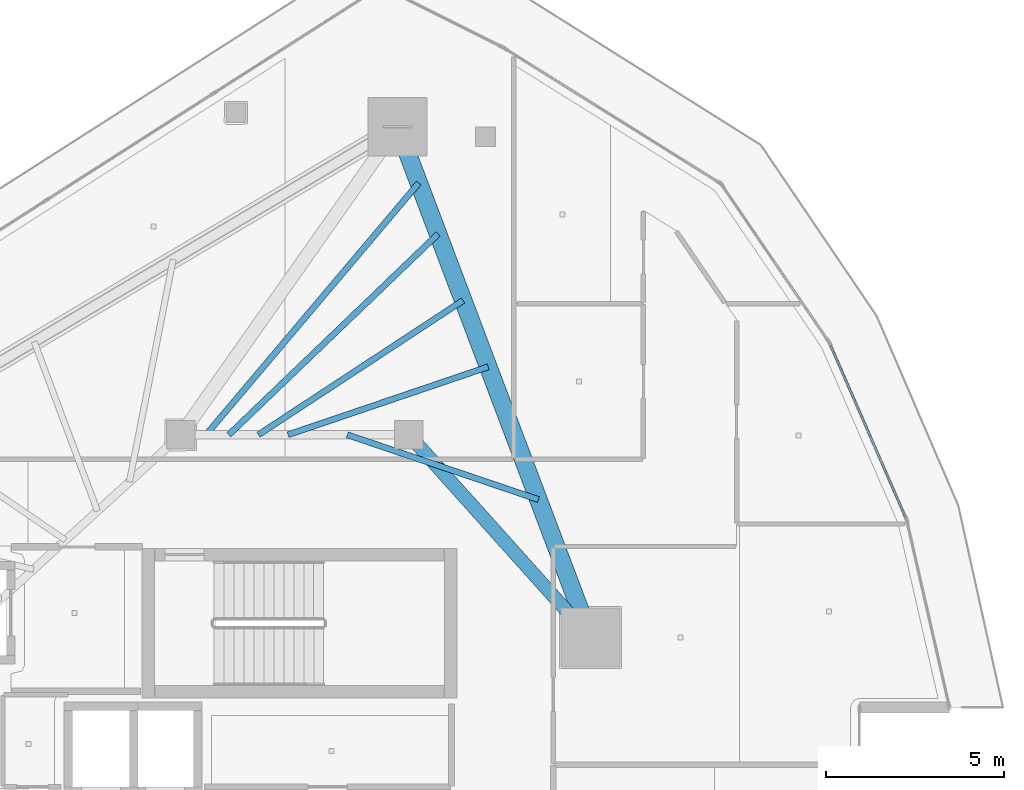
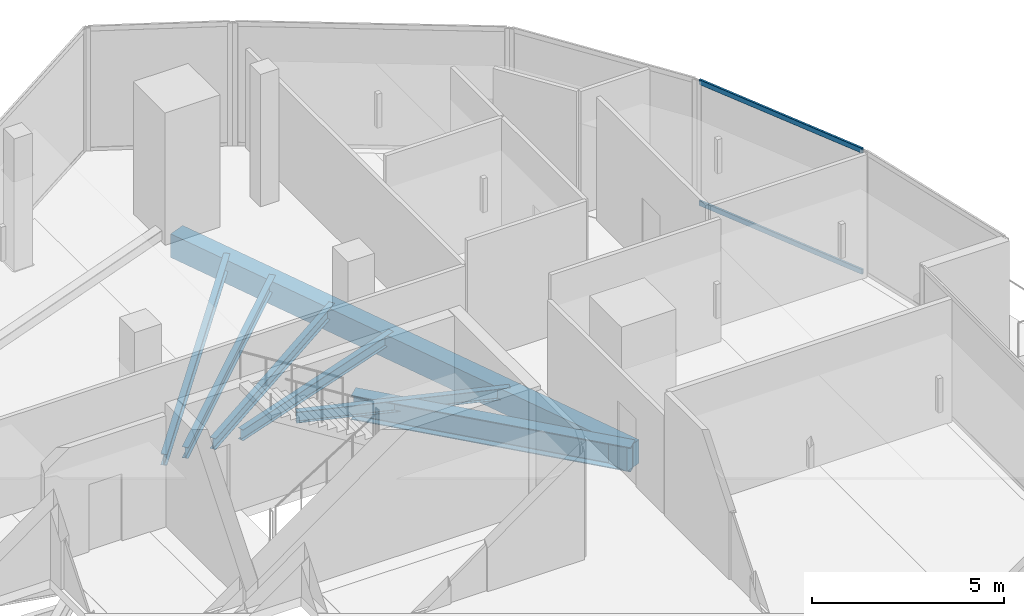
# One storey, part 20 of 34: 7 beams, 2 members, 1 element without a shape of its own.
"""IFC4 building model written with IfcOpenShell, lengths in metres."""

from ifc_helpers import new_model, si_unit, direction, frame, origin, origin_2d, place, context, subcontext, project, spatial, rectangle, hollow_rectangle, i_section, extrude, material, layer, layer_set, material_profile, profile_set, type_object, element, aggregate, save


model = new_model("IFC4")

# Units and contexts
model_context = context("Model", 3, precision=1e-05, world=origin(), true_north=direction((0.0, 1.0)))
body_context = subcontext(model_context, "Body", "Model", "MODEL_VIEW")
ifc_project = project(units=[si_unit("LENGTHUNIT", "METRE"), si_unit("AREAUNIT", "SQUARE_METRE"), si_unit("VOLUMEUNIT", "CUBIC_METRE"), si_unit("PLANEANGLEUNIT", "RADIAN"), si_unit("MASSUNIT", "GRAM", prefix="KILO")], contexts=[model_context])

# Site, building, storey
site_placement = place(None, origin())
site = spatial("IfcSite", under=ifc_project, at=site_placement, CompositionType="ELEMENT")
building_placement = place(site_placement, origin())
building = spatial("IfcBuilding", under=site, at=building_placement, Name="Qorvath Tower", CompositionType="ELEMENT")
storey_placement = place(building_placement, frame((0.0, 0.0, 276.60009765625)))
storey = spatial("IfcBuildingStorey", under=building, at=storey_placement, Name="L64", CompositionType="ELEMENT", Elevation=276.60009765625)

# Beams
ifc_material_1 = material(Name="Steel ASTM A992 Grade 50", Category="steel")
ifc_material_profile_1 = material_profile(ifc_material_1, i_section(OverallWidth=0.381103515625, OverallDepth=0.77294921875, WebThickness=0.0166015625, FlangeThickness=0.027099609375, FilletRadius=0.01904296875, at=origin_2d()), Name="W30x173")
ifc_profile_set_1 = profile_set([ifc_material_profile_1], Name="Steel ASTM A992 Grade 50")
beam_type_1 = type_object("IfcBeamType", Name="BM-FG3", PredefinedType="BEAM", material=ifc_profile_set_1)
beam_1_placement = place(storey_placement, frame((-17.199951171875, 11.449951171875, -0.676513671875), z_axis=(0.667543184261, -0.744571082669, 0.0), x_axis=(0.744571082669, 0.667543184261, 0.0)))
element("IfcBeam", 1, at=beam_1_placement, inside=storey, type_object=beam_type_1, Name="Radial Floor Girder CC2-MC5 L64", PredefinedType="BEAM", context=body_context, shape_type="SweptSolid", body=[
    extrude(i_section(OverallWidth=0.381103515625, OverallDepth=0.77294921875, WebThickness=0.0166015625, FlangeThickness=0.027099609375, FilletRadius=0.01904296875, at=origin_2d()), origin(), (0.0, 0.0, 1.0), 7.644775390625),
])
ifc_material_2 = material(Name="Steel ASTM A992 Grade 50", Category="steel")
ifc_material_profile_2 = material_profile(ifc_material_2, i_section(OverallWidth=0.1708984375, OverallDepth=0.35107421875, WebThickness=0.0068359375, FlangeThickness=0.009765625, FilletRadius=0.010009765625, at=origin_2d()), Name="W14x30")
ifc_profile_set_2 = profile_set([ifc_material_profile_2], Name="Steel ASTM A992 Grade 50")
beam_type_2 = type_object("IfcBeamType", Name="BM-FJ4", PredefinedType="JOIST", material=ifc_profile_set_2)
beam_2_placement = place(storey_placement, frame((-18.927978515625, 11.449951171875, -0.465576171875), z_axis=(0.947086298547, -0.32097903842, 0.0), x_axis=(0.32097903842, 0.947086298547, 0.0)))
element("IfcBeam", 2, at=beam_2_placement, inside=storey, type_object=beam_type_2, Name="Composite Floor Joist NE2 L64", PredefinedType="JOIST", context=body_context, shape_type="SweptSolid", body=[
    extrude(i_section(OverallWidth=0.1708984375, OverallDepth=0.35107421875, WebThickness=0.0068359375, FlangeThickness=0.009765625, FilletRadius=0.010009765625, at=origin_2d()), origin(), (0.0, 0.0, 1.0), 5.66796875),
])
beam_3_placement = place(storey_placement, frame((-20.592041015625, 11.449951171875, -0.465576171875), z_axis=(0.946863164885, 0.321636669216, 0.0), x_axis=(-0.321636669216, 0.946863164885, 0.0)))
element("IfcBeam", 3, at=beam_3_placement, inside=storey, type_object=beam_type_2, Name="Composite Floor Joist NE4 L64", PredefinedType="JOIST", context=body_context, shape_type="SweptSolid", body=[
    extrude(i_section(OverallWidth=0.1708984375, OverallDepth=0.35107421875, WebThickness=0.0068359375, FlangeThickness=0.009765625, FilletRadius=0.010009765625, at=origin_2d()), origin(), (0.0, 0.0, 1.0), 5.93896484375),
])
beam_4_placement = place(storey_placement, frame((-21.424072265625, 11.449951171875, -0.465576171875), z_axis=(0.835992964387, 0.548740160272, 0.0), x_axis=(-0.548740160272, 0.835992964387, 0.0)))
element("IfcBeam", 4, at=beam_4_placement, inside=storey, type_object=beam_type_2, Name="Composite Floor Joist NE5 L64", PredefinedType="JOIST", context=body_context, shape_type="SweptSolid", body=[
    extrude(i_section(OverallWidth=0.1708984375, OverallDepth=0.35107421875, WebThickness=0.0068359375, FlangeThickness=0.009765625, FilletRadius=0.010009765625, at=origin_2d()), origin(), (0.0, 0.0, 1.0), 6.879150390625),
])
beam_5_placement = place(storey_placement, frame((-22.256103515625, 11.449951171875, -0.465576171875), z_axis=(0.721625044611, 0.692284114356, 0.0), x_axis=(-0.692284114356, 0.721625044611, 0.0)))
element("IfcBeam", 5, at=beam_5_placement, inside=storey, type_object=beam_type_2, Name="Composite Floor Joist NE6 L64", PredefinedType="JOIST", context=body_context, shape_type="SweptSolid", body=[
    extrude(i_section(OverallWidth=0.1708984375, OverallDepth=0.35107421875, WebThickness=0.0068359375, FlangeThickness=0.009765625, FilletRadius=0.010009765625, at=origin_2d()), origin(), (0.0, 0.0, 1.0), 8.14599609375),
])
beam_6_placement = place(storey_placement, frame((-22.89599609375, 11.449951171875, -0.465576171875), z_axis=(0.645381885676, 0.763860079885, 0.0), x_axis=(-0.763860079885, 0.645381885676, 0.0)))
element("IfcBeam", 6, at=beam_6_placement, inside=storey, type_object=beam_type_2, Name="Composite Floor Joist NE7 L64", PredefinedType="JOIST", context=body_context, shape_type="SweptSolid", body=[
    extrude(i_section(OverallWidth=0.1708984375, OverallDepth=0.35107421875, WebThickness=0.0068359375, FlangeThickness=0.009765625, FilletRadius=0.010009765625, at=origin_2d()), origin(), (0.0, 0.0, 1.0), 9.260498046875),
])
ifc_material_3 = material(Name="Concrete C45/55", Category="concrete")
ifc_material_profile_3 = material_profile(ifc_material_3, rectangle(XDim=0.5, YDim=0.75, at=origin_2d()), Name="RCB 750x500")
ifc_profile_set_3 = profile_set([ifc_material_profile_3], Name="Concrete C45/55")
beam_type_3 = type_object("IfcBeamType", Name="BM-RCB3", PredefinedType="SPANDREL", material=ifc_profile_set_3)
beam_7_placement = place(storey_placement, frame((-12.0966796875, 5.7578125, -0.6650390625), z_axis=(-0.353397781952, 0.935473146441, 0.0), x_axis=(-0.935473146441, -0.353397781952, 0.0)))
element("IfcBeam", 7, at=beam_7_placement, inside=storey, type_object=beam_type_3, Name="Perimeter Loggia Frame Beam MC5-MC6 L64", PredefinedType="SPANDREL", context=body_context, shape_type="SweptSolid", body=[
    extrude(rectangle(XDim=0.5, YDim=0.75, at=origin_2d()), origin(), (0.0, 0.0, 1.0), 15.333251953125),
])

# Curtain wall, members
ifc_material_4 = material(Name="Anodised aluminium and triple low-E glass", Category="aluminium")
ifc_layer = layer(ifc_material_4, 0.179931640625)
ifc_layer_set = layer_set([ifc_layer], Name="CW-SYS-4")
curtain_wall_type = type_object("IfcCurtainWallType", Name="CW-SYS-4", PredefinedType="NOTDEFINED", material=ifc_layer_set)
curtain_wall_placement = place(storey_placement, origin())
curtain_wall = element("IfcCurtainWall", 8, at=curtain_wall_placement, inside=storey, type_object=curtain_wall_type, Name="Curtain Wall CW-4 CW-T-L64-12.1", PredefinedType="NOTDEFINED")
ifc_material_5 = material(Name="Anodised aluminium 6063-T6", Category="aluminium")
ifc_material_profile_4 = material_profile(ifc_material_5, hollow_rectangle(XDim=0.06494140625, YDim=0.159912109375, WallThickness=0.00341796875, InnerFilletRadius=0.00341796875, OuterFilletRadius=0.007080078125, at=origin_2d()), Name="CWT 160x65")
ifc_profile_set_4 = profile_set([ifc_material_profile_4], Name="Anodised aluminium 6063-T6")
member_type = type_object("IfcMemberType", Name="CWT-160", PredefinedType="USERDEFINED", material=ifc_profile_set_4)
member_1_placement = place(storey_placement, frame((-3.246337890625, 9.13623046875, 0.032470703125), z_axis=(-0.399879269802, 0.916567820504, 0.0), x_axis=(-0.916567820504, -0.399879269802, 0.0)))
member_1 = element("IfcMember", 9, at=member_1_placement, type_object=member_type, Name="CW-4 transom 1.1", ObjectType="TRANSOM", PredefinedType="USERDEFINED", context=body_context, shape_type="SweptSolid", body=[
    extrude(hollow_rectangle(XDim=0.06494140625, YDim=0.159912109375, WallThickness=0.00341796875, InnerFilletRadius=0.00341796875, OuterFilletRadius=0.007080078125, at=origin_2d()), origin(), (0.0, 0.0, 1.0), 5.262939453125),
])
member_2_placement = place(storey_placement, frame((-3.246337890625, 9.13623046875, 3.87744140625), z_axis=(-0.399879269802, 0.916567820504, 0.0), x_axis=(-0.916567820504, -0.399879269802, 0.0)))
member_2 = element("IfcMember", 10, at=member_2_placement, type_object=member_type, Name="CW-4 transom 1.2", ObjectType="TRANSOM", PredefinedType="USERDEFINED", context=body_context, shape_type="SweptSolid", body=[
    extrude(hollow_rectangle(XDim=0.06494140625, YDim=0.159912109375, WallThickness=0.00341796875, InnerFilletRadius=0.00341796875, OuterFilletRadius=0.007080078125, at=origin_2d()), origin(), (0.0, 0.0, 1.0), 5.262939453125),
])
aggregate(curtain_wall, [member_1, member_2])

save(model, "model.ifc")
